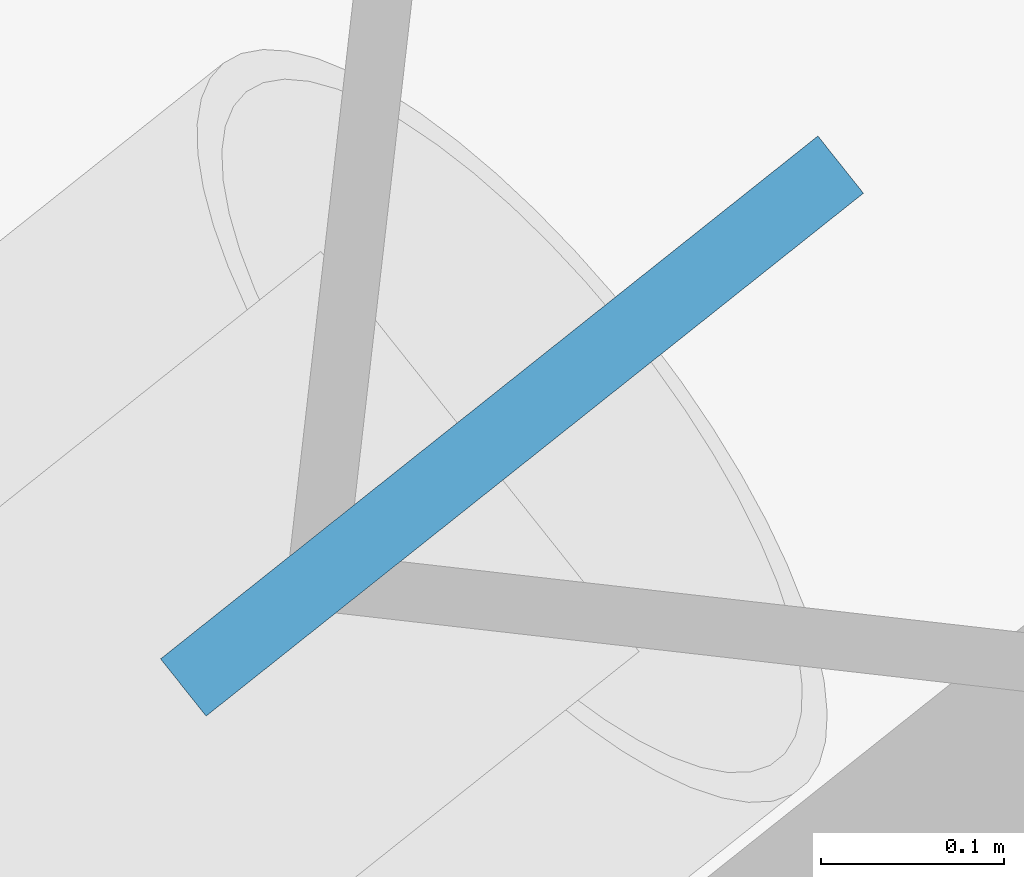
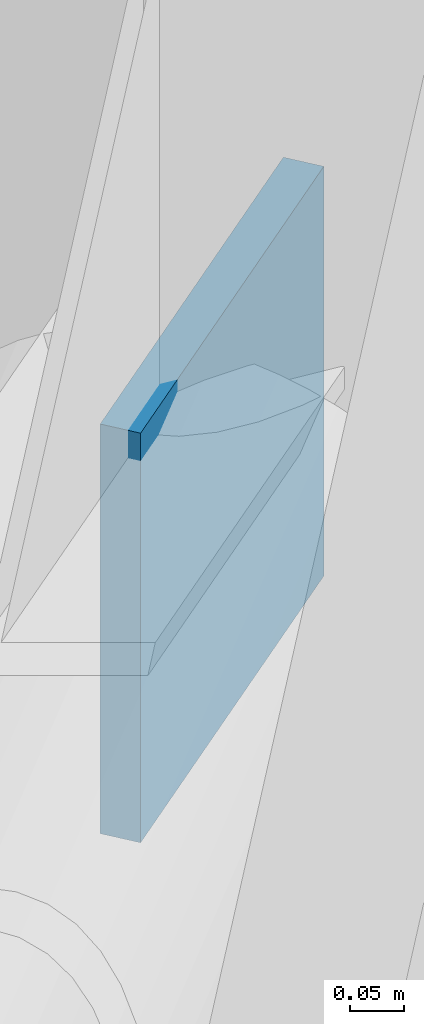
# One storey, part 18 of 21: 1 discrete accessory.
"""IFC4 building model written with IfcOpenShell, lengths in metres."""

from ifc_helpers import new_model, si_unit, direction, frame, origin, origin_2d, place, context, subcontext, project, spatial, rectangle, extrude, material, type_object, element, save


model = new_model("IFC4")

# Units and contexts
model_context = context("Model", 3, precision=1e-05, world=origin(), true_north=direction((0.0, 1.0)))
body_context = subcontext(model_context, "Body", "Model", "MODEL_VIEW")
ifc_project = project(units=[si_unit("LENGTHUNIT", "METRE"), si_unit("AREAUNIT", "SQUARE_METRE"), si_unit("VOLUMEUNIT", "CUBIC_METRE"), si_unit("PLANEANGLEUNIT", "RADIAN"), si_unit("MASSUNIT", "GRAM", prefix="KILO")], contexts=[model_context])

# Site, building, storey
site_placement = place(None, origin())
site = spatial("IfcSite", under=ifc_project, at=site_placement, CompositionType="ELEMENT")
building_placement = place(site_placement, origin())
building = spatial("IfcBuilding", under=site, at=building_placement, Name="Tavrogorsk Clinical Tower", CompositionType="ELEMENT")
storey_placement = place(building_placement, frame((0.0, 0.0, 121.39990234375)))
storey = spatial("IfcBuildingStorey", under=building, at=storey_placement, Name="L27", CompositionType="ELEMENT", Elevation=121.39990234375)

# Discrete accessory
ifc_material = material(Name="Structural steel S440", Category="steel")
discrete_accessory_type = type_object("IfcDiscreteAccessoryType", Name="GussetPlateBracket_25", PredefinedType="BRACKET", material=ifc_material)
discrete_accessory_placement = place(storey_placement, frame((-27.045654296875, 25.592041015625, 2.68505859375), z_axis=(0.0, 0.0, 1.0), x_axis=(0.782608156852, 0.622514636638, 0.0)))
element("IfcDiscreteAccessory", 1, at=discrete_accessory_placement, inside=storey, type_object=discrete_accessory_type, Name="L27 Brace Gusset Plate EXOCRN-L27-3-B", PredefinedType="BRACKET", context=body_context, shape_type="SweptSolid", body=[
    extrude(rectangle(XDim=0.4599609375, YDim=0.0400390625, at=origin_2d()), origin(), (0.0, 0.0, 1.0), 0.4599609375),
])

save(model, "model.ifc")
